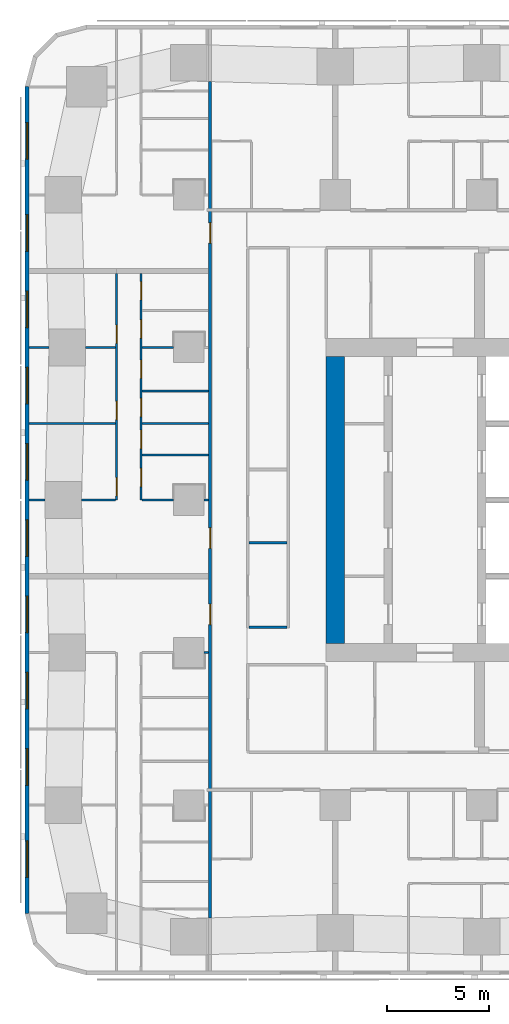
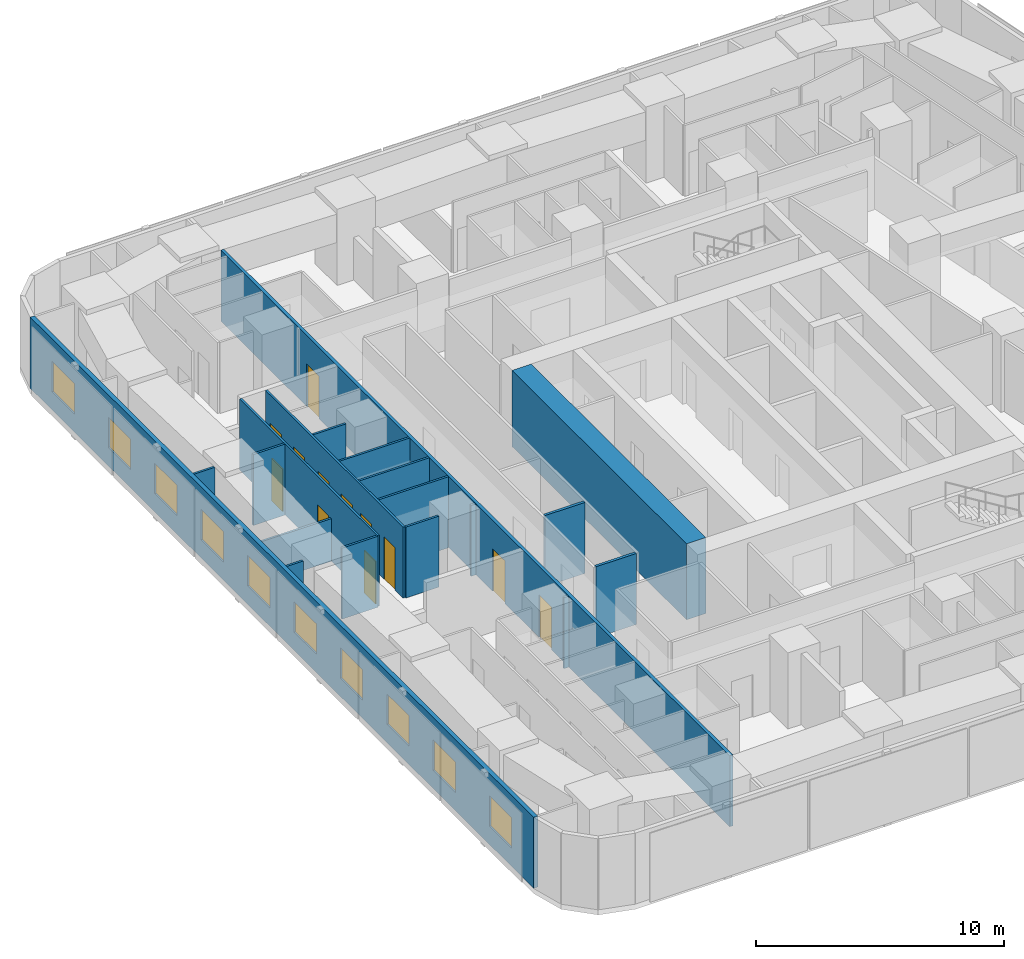
# One storey, part 4 of 15: 19 walls, 12 doors, 10 windows, 22 openings.
"""IFC4 building model written with IfcOpenShell, lengths in metres."""

from ifc_helpers import new_model, si_unit, direction, frame, frame_2d, origin, place, context, subcontext, project, spatial, rectangle, extrude, material, layer, layer_set, type_object, element, fill, save


model = new_model("IFC4")

# Units and contexts
model_context = context("Model", 3, precision=1e-05, world=origin(), true_north=direction((0.0, 1.0)))
body_context = subcontext(model_context, "Body", "Model", "MODEL_VIEW")
ifc_project = project(units=[si_unit("LENGTHUNIT", "METRE"), si_unit("AREAUNIT", "SQUARE_METRE"), si_unit("VOLUMEUNIT", "CUBIC_METRE"), si_unit("PLANEANGLEUNIT", "RADIAN"), si_unit("MASSUNIT", "GRAM", prefix="KILO")], contexts=[model_context])

# Site, building, storey
site_placement = place(None, origin())
site = spatial("IfcSite", under=ifc_project, at=site_placement, CompositionType="ELEMENT")
building_placement = place(site_placement, origin())
building = spatial("IfcBuilding", under=site, at=building_placement, Name="Sheger Commons Tower", CompositionType="ELEMENT")
storey_placement = place(building_placement, frame((0.0, 0.0, 150.800048828125)))
storey = spatial("IfcBuildingStorey", under=building, at=storey_placement, Name="L38", CompositionType="ELEMENT", Elevation=150.800048828125)

# Wall
ifc_material_1 = material(Name="Concrete C50/60", Category="concrete")
ifc_layer_1 = layer(ifc_material_1, 0.89990234375)
ifc_layer_set_1 = layer_set([ifc_layer_1], Name="CORE WALL 900")
wall_type_1 = type_object("IfcWallType", Name="CORE WALL 900", PredefinedType="SHEAR", material=ifc_layer_set_1)
wall_1_placement = place(storey_placement, frame((14.39990234375, 15.449951171875, 0.0), z_axis=(0.0, 0.0, 1.0), x_axis=(0.0, 1.0, 0.0)))
element("IfcWall", 1, at=wall_1_placement, inside=storey, type_object=wall_type_1, Name="Core wall west L38", PredefinedType="SHEAR", context=body_context, shape_type="SweptSolid", body=[
    extrude(rectangle(XDim=14.10009765625, YDim=0.89990234375, at=frame_2d((7.050048828125, 0.0))), origin(), (0.0, 0.0, 1.0), 3.75),
])

# Wall, openings, doors
ifc_material_2 = material(Name="Hollow concrete block masonry, skimmed both sides", Category="masonry")
ifc_layer_2 = layer(ifc_material_2, 0.14990234375)
ifc_layer_set_2 = layer_set([ifc_layer_2], Name="CORRIDOR WALL 150")
wall_type_2 = type_object("IfcWallType", Name="CORRIDOR WALL 150", PredefinedType="SOLIDWALL", material=ifc_layer_set_2)
wall_2_placement = place(storey_placement, frame((8.25, 1.95703125, 0.0), z_axis=(0.0, 0.0, 1.0), x_axis=(0.0, 1.0, 0.0)))
wall_2 = element("IfcWall", 2, at=wall_2_placement, inside=storey, type_object=wall_type_2, Name="Corridor wall L38", PredefinedType="SOLIDWALL", context=body_context, shape_type="SweptSolid", body=[
    extrude(rectangle(XDim=41.111083984375, YDim=0.14990234375, at=frame_2d((20.5556640625, 0.0))), origin(), (0.0, 0.0, 1.0), 3.5),
])
opening_1_placement = place(wall_2_placement, frame((14.41796875, 0.0, 0.0)))
opening_1 = element("IfcOpeningElement", 3, at=opening_1_placement, cuts=wall_2, Name="Opening D1", PredefinedType="OPENING", context=body_context, shape_type="SweptSolid", body=[
    extrude(rectangle(XDim=1.0, YDim=2.10009765625, at=frame_2d((0.5, 1.050048828125))), frame((0.0, 0.0849609375, 0.0), z_axis=(0.0, -1.0, 0.0), x_axis=(1.0, 0.0, 0.0)), (0.0, 0.0, 1.0), 0.169921875),
])
opening_2_placement = place(wall_2_placement, frame((18.16796875, 0.0, 0.0)))
opening_2 = element("IfcOpeningElement", 4, at=opening_2_placement, cuts=wall_2, Name="Opening D1", PredefinedType="OPENING", context=body_context, shape_type="SweptSolid", body=[
    extrude(rectangle(XDim=1.0, YDim=2.10009765625, at=frame_2d((0.5, 1.050048828125))), frame((0.0, 0.0849609375, 0.0), z_axis=(0.0, -1.0, 0.0), x_axis=(1.0, 0.0, 0.0)), (0.0, 0.0, 1.0), 0.169921875),
])
opening_3_placement = place(wall_2_placement, frame((33.16796875, 0.0, 0.0)))
opening_3 = element("IfcOpeningElement", 5, at=opening_3_placement, cuts=wall_2, Name="Opening D1", PredefinedType="OPENING", context=body_context, shape_type="SweptSolid", body=[
    extrude(rectangle(XDim=1.0, YDim=2.10009765625, at=frame_2d((0.5, 1.050048828125))), frame((0.0, 0.0849609375, 0.0), z_axis=(0.0, -1.0, 0.0), x_axis=(1.0, 0.0, 0.0)), (0.0, 0.0, 1.0), 0.169921875),
])
ifc_material_3 = material(Name="Steel door set, fire rated", Category="steel")
door_type_1 = type_object("IfcDoorType", Name="FLAT ENTRANCE DOOR 1000x2100", OperationType="NOTDEFINED", PredefinedType="DOOR", material=ifc_material_3)
door_1_placement = place(opening_1_placement, origin())
door_1 = element("IfcDoor", 6, at=door_1_placement, inside=storey, type_object=door_type_1, Name="Flat entrance door", OperationType="SINGLE_SWING_LEFT", OverallHeight=2.10009765625, OverallWidth=1.0, PredefinedType="DOOR", context=body_context, shape_type="SweptSolid", body=[
    extrude(rectangle(XDim=1.0, YDim=2.10009765625, at=frame_2d((0.5, 1.050048828125))), frame((0.0, 0.02490234375, 0.0), z_axis=(0.0, -1.0, 0.0), x_axis=(1.0, 0.0, 0.0)), (0.0, 0.0, 1.0), 0.050048828125),
])
fill(opening_1, door_1)
door_2_placement = place(opening_2_placement, origin())
door_2 = element("IfcDoor", 7, at=door_2_placement, inside=storey, type_object=door_type_1, Name="Flat entrance door", OperationType="SINGLE_SWING_RIGHT", OverallHeight=2.10009765625, OverallWidth=1.0, PredefinedType="DOOR", context=body_context, shape_type="SweptSolid", body=[
    extrude(rectangle(XDim=1.0, YDim=2.10009765625, at=frame_2d((0.5, 1.050048828125))), frame((0.0, 0.02490234375, 0.0), z_axis=(0.0, -1.0, 0.0), x_axis=(1.0, 0.0, 0.0)), (0.0, 0.0, 1.0), 0.050048828125),
])
fill(opening_2, door_2)
door_3_placement = place(opening_3_placement, origin())
door_3 = element("IfcDoor", 8, at=door_3_placement, inside=storey, type_object=door_type_1, Name="Flat entrance door", OperationType="SINGLE_SWING_LEFT", OverallHeight=2.10009765625, OverallWidth=1.0, PredefinedType="DOOR", context=body_context, shape_type="SweptSolid", body=[
    extrude(rectangle(XDim=1.0, YDim=2.10009765625, at=frame_2d((0.5, 1.050048828125))), frame((0.0, 0.02490234375, 0.0), z_axis=(0.0, -1.0, 0.0), x_axis=(1.0, 0.0, 0.0)), (0.0, 0.0, 1.0), 0.050048828125),
])
fill(opening_3, door_3)

# Wall, openings, windows
ifc_material_4 = material(Name="Rendered concrete block masonry, dark grey", Category="masonry")
ifc_layer_3 = layer(ifc_material_4, 0.199951171875)
ifc_layer_set_3 = layer_set([ifc_layer_3], Name="FACADE WALL 200")
wall_type_3 = type_object("IfcWallType", Name="FACADE WALL 200", PredefinedType="SOLIDWALL", material=ifc_layer_set_3)
wall_3_placement = place(storey_placement, frame((-0.75, 42.8369140625, 0.0), z_axis=(0.0, 0.0, 1.0), x_axis=(0.0, -1.0, 0.0)))
wall_3 = element("IfcWall", 9, at=wall_3_placement, inside=storey, type_object=wall_type_3, Name="Facade wall L38", PredefinedType="SOLIDWALL", context=body_context, shape_type="SweptSolid", body=[
    extrude(rectangle(XDim=40.673828125, YDim=0.199951171875, at=frame_2d((20.3369140625, 0.0))), origin(), (0.0, 0.0, 1.0), 3.5),
])
opening_4_placement = place(wall_3_placement, frame((1.780029296875, 0.0, 0.89990234375)))
opening_4 = element("IfcOpeningElement", 10, at=opening_4_placement, cuts=wall_3, Name="Opening W2", PredefinedType="OPENING", context=body_context, shape_type="SweptSolid", body=[
    extrude(rectangle(XDim=1.800048828125, YDim=1.5, at=frame_2d((0.89990234375, 0.75))), frame((0.0, 0.10986328125, 0.0), z_axis=(0.0, -1.0, 0.0), x_axis=(1.0, 0.0, 0.0)), (0.0, 0.0, 1.0), 0.219970703125),
])
opening_5_placement = place(wall_3_placement, frame((6.31201171875, 0.0, 0.89990234375)))
opening_5 = element("IfcOpeningElement", 11, at=opening_5_placement, cuts=wall_3, Name="Opening W2", PredefinedType="OPENING", context=body_context, shape_type="SweptSolid", body=[
    extrude(rectangle(XDim=1.800048828125, YDim=1.5, at=frame_2d((0.89990234375, 0.75))), frame((0.0, 0.10986328125, 0.0), z_axis=(0.0, -1.0, 0.0), x_axis=(1.0, 0.0, 0.0)), (0.0, 0.0, 1.0), 0.219970703125),
])
opening_6_placement = place(wall_3_placement, frame((10.06201171875, 0.0, 0.89990234375)))
opening_6 = element("IfcOpeningElement", 12, at=opening_6_placement, cuts=wall_3, Name="Opening W2", PredefinedType="OPENING", context=body_context, shape_type="SweptSolid", body=[
    extrude(rectangle(XDim=1.800048828125, YDim=1.5, at=frame_2d((0.89990234375, 0.75))), frame((0.0, 0.10986328125, 0.0), z_axis=(0.0, -1.0, 0.0), x_axis=(1.0, 0.0, 0.0)), (0.0, 0.0, 1.0), 0.219970703125),
])
opening_7_placement = place(wall_3_placement, frame((13.81201171875, 0.0, 0.89990234375)))
opening_7 = element("IfcOpeningElement", 13, at=opening_7_placement, cuts=wall_3, Name="Opening W2", PredefinedType="OPENING", context=body_context, shape_type="SweptSolid", body=[
    extrude(rectangle(XDim=1.800048828125, YDim=1.5, at=frame_2d((0.89990234375, 0.75))), frame((0.0, 0.10986328125, 0.0), z_axis=(0.0, -1.0, 0.0), x_axis=(1.0, 0.0, 0.0)), (0.0, 0.0, 1.0), 0.219970703125),
])
opening_8_placement = place(wall_3_placement, frame((17.56201171875, 0.0, 0.89990234375)))
opening_8 = element("IfcOpeningElement", 14, at=opening_8_placement, cuts=wall_3, Name="Opening W2", PredefinedType="OPENING", context=body_context, shape_type="SweptSolid", body=[
    extrude(rectangle(XDim=1.800048828125, YDim=1.5, at=frame_2d((0.89990234375, 0.75))), frame((0.0, 0.10986328125, 0.0), z_axis=(0.0, -1.0, 0.0), x_axis=(1.0, 0.0, 0.0)), (0.0, 0.0, 1.0), 0.219970703125),
])
opening_9_placement = place(wall_3_placement, frame((21.31201171875, 0.0, 0.89990234375)))
opening_9 = element("IfcOpeningElement", 15, at=opening_9_placement, cuts=wall_3, Name="Opening W2", PredefinedType="OPENING", context=body_context, shape_type="SweptSolid", body=[
    extrude(rectangle(XDim=1.800048828125, YDim=1.5, at=frame_2d((0.89990234375, 0.75))), frame((0.0, 0.10986328125, 0.0), z_axis=(0.0, -1.0, 0.0), x_axis=(1.0, 0.0, 0.0)), (0.0, 0.0, 1.0), 0.219970703125),
])
opening_10_placement = place(wall_3_placement, frame((25.06201171875, 0.0, 0.89990234375)))
opening_10 = element("IfcOpeningElement", 16, at=opening_10_placement, cuts=wall_3, Name="Opening W2", PredefinedType="OPENING", context=body_context, shape_type="SweptSolid", body=[
    extrude(rectangle(XDim=1.800048828125, YDim=1.5, at=frame_2d((0.89990234375, 0.75))), frame((0.0, 0.10986328125, 0.0), z_axis=(0.0, -1.0, 0.0), x_axis=(1.0, 0.0, 0.0)), (0.0, 0.0, 1.0), 0.219970703125),
])
opening_11_placement = place(wall_3_placement, frame((28.81201171875, 0.0, 0.89990234375)))
opening_11 = element("IfcOpeningElement", 17, at=opening_11_placement, cuts=wall_3, Name="Opening W2", PredefinedType="OPENING", context=body_context, shape_type="SweptSolid", body=[
    extrude(rectangle(XDim=1.800048828125, YDim=1.5, at=frame_2d((0.89990234375, 0.75))), frame((0.0, 0.10986328125, 0.0), z_axis=(0.0, -1.0, 0.0), x_axis=(1.0, 0.0, 0.0)), (0.0, 0.0, 1.0), 0.219970703125),
])
opening_12_placement = place(wall_3_placement, frame((32.56201171875, 0.0, 0.89990234375)))
opening_12 = element("IfcOpeningElement", 18, at=opening_12_placement, cuts=wall_3, Name="Opening W2", PredefinedType="OPENING", context=body_context, shape_type="SweptSolid", body=[
    extrude(rectangle(XDim=1.800048828125, YDim=1.5, at=frame_2d((0.89990234375, 0.75))), frame((0.0, 0.10986328125, 0.0), z_axis=(0.0, -1.0, 0.0), x_axis=(1.0, 0.0, 0.0)), (0.0, 0.0, 1.0), 0.219970703125),
])
opening_13_placement = place(wall_3_placement, frame((37.093994140625, 0.0, 0.89990234375)))
opening_13 = element("IfcOpeningElement", 19, at=opening_13_placement, cuts=wall_3, Name="Opening W2", PredefinedType="OPENING", context=body_context, shape_type="SweptSolid", body=[
    extrude(rectangle(XDim=1.800048828125, YDim=1.5, at=frame_2d((0.89990234375, 0.75))), frame((0.0, 0.10986328125, 0.0), z_axis=(0.0, -1.0, 0.0), x_axis=(1.0, 0.0, 0.0)), (0.0, 0.0, 1.0), 0.219970703125),
])
ifc_material_5 = material(Name="Black aluminium frame, dark tinted double glazing", Category="aluminium")
window_type = type_object("IfcWindowType", Name="WINDOW W2 1800x1500", PartitioningType="SINGLE_PANEL", PredefinedType="WINDOW", material=ifc_material_5)
window_1_placement = place(opening_4_placement, origin())
window_1 = element("IfcWindow", 20, at=window_1_placement, inside=storey, type_object=window_type, Name="Window W2 1800X1500", OverallHeight=1.5, OverallWidth=1.800048828125, PartitioningType="SINGLE_PANEL", PredefinedType="WINDOW", context=body_context, shape_type="SweptSolid", body=[
    extrude(rectangle(XDim=1.800048828125, YDim=1.5, at=frame_2d((0.89990234375, 0.75))), frame((0.0, 0.030029296875, 0.0), z_axis=(0.0, -1.0, 0.0), x_axis=(1.0, 0.0, 0.0)), (0.0, 0.0, 1.0), 0.06005859375),
])
fill(opening_4, window_1)
window_2_placement = place(opening_5_placement, origin())
window_2 = element("IfcWindow", 21, at=window_2_placement, inside=storey, type_object=window_type, Name="Window W2 1800X1500", OverallHeight=1.5, OverallWidth=1.800048828125, PartitioningType="SINGLE_PANEL", PredefinedType="WINDOW", context=body_context, shape_type="SweptSolid", body=[
    extrude(rectangle(XDim=1.800048828125, YDim=1.5, at=frame_2d((0.89990234375, 0.75))), frame((0.0, 0.030029296875, 0.0), z_axis=(0.0, -1.0, 0.0), x_axis=(1.0, 0.0, 0.0)), (0.0, 0.0, 1.0), 0.06005859375),
])
fill(opening_5, window_2)
window_3_placement = place(opening_6_placement, origin())
window_3 = element("IfcWindow", 22, at=window_3_placement, inside=storey, type_object=window_type, Name="Window W2 1800X1500", OverallHeight=1.5, OverallWidth=1.800048828125, PartitioningType="SINGLE_PANEL", PredefinedType="WINDOW", context=body_context, shape_type="SweptSolid", body=[
    extrude(rectangle(XDim=1.800048828125, YDim=1.5, at=frame_2d((0.89990234375, 0.75))), frame((0.0, 0.030029296875, 0.0), z_axis=(0.0, -1.0, 0.0), x_axis=(1.0, 0.0, 0.0)), (0.0, 0.0, 1.0), 0.06005859375),
])
fill(opening_6, window_3)
window_4_placement = place(opening_7_placement, origin())
window_4 = element("IfcWindow", 23, at=window_4_placement, inside=storey, type_object=window_type, Name="Window W2 1800X1500", OverallHeight=1.5, OverallWidth=1.800048828125, PartitioningType="SINGLE_PANEL", PredefinedType="WINDOW", context=body_context, shape_type="SweptSolid", body=[
    extrude(rectangle(XDim=1.800048828125, YDim=1.5, at=frame_2d((0.89990234375, 0.75))), frame((0.0, 0.030029296875, 0.0), z_axis=(0.0, -1.0, 0.0), x_axis=(1.0, 0.0, 0.0)), (0.0, 0.0, 1.0), 0.06005859375),
])
fill(opening_7, window_4)
window_5_placement = place(opening_8_placement, origin())
window_5 = element("IfcWindow", 24, at=window_5_placement, inside=storey, type_object=window_type, Name="Window W2 1800X1500", OverallHeight=1.5, OverallWidth=1.800048828125, PartitioningType="SINGLE_PANEL", PredefinedType="WINDOW", context=body_context, shape_type="SweptSolid", body=[
    extrude(rectangle(XDim=1.800048828125, YDim=1.5, at=frame_2d((0.89990234375, 0.75))), frame((0.0, 0.030029296875, 0.0), z_axis=(0.0, -1.0, 0.0), x_axis=(1.0, 0.0, 0.0)), (0.0, 0.0, 1.0), 0.06005859375),
])
fill(opening_8, window_5)
window_6_placement = place(opening_9_placement, origin())
window_6 = element("IfcWindow", 25, at=window_6_placement, inside=storey, type_object=window_type, Name="Window W2 1800X1500", OverallHeight=1.5, OverallWidth=1.800048828125, PartitioningType="SINGLE_PANEL", PredefinedType="WINDOW", context=body_context, shape_type="SweptSolid", body=[
    extrude(rectangle(XDim=1.800048828125, YDim=1.5, at=frame_2d((0.89990234375, 0.75))), frame((0.0, 0.030029296875, 0.0), z_axis=(0.0, -1.0, 0.0), x_axis=(1.0, 0.0, 0.0)), (0.0, 0.0, 1.0), 0.06005859375),
])
fill(opening_9, window_6)
window_7_placement = place(opening_10_placement, origin())
window_7 = element("IfcWindow", 26, at=window_7_placement, inside=storey, type_object=window_type, Name="Window W2 1800X1500", OverallHeight=1.5, OverallWidth=1.800048828125, PartitioningType="SINGLE_PANEL", PredefinedType="WINDOW", context=body_context, shape_type="SweptSolid", body=[
    extrude(rectangle(XDim=1.800048828125, YDim=1.5, at=frame_2d((0.89990234375, 0.75))), frame((0.0, 0.030029296875, 0.0), z_axis=(0.0, -1.0, 0.0), x_axis=(1.0, 0.0, 0.0)), (0.0, 0.0, 1.0), 0.06005859375),
])
fill(opening_10, window_7)
window_8_placement = place(opening_11_placement, origin())
window_8 = element("IfcWindow", 27, at=window_8_placement, inside=storey, type_object=window_type, Name="Window W2 1800X1500", OverallHeight=1.5, OverallWidth=1.800048828125, PartitioningType="SINGLE_PANEL", PredefinedType="WINDOW", context=body_context, shape_type="SweptSolid", body=[
    extrude(rectangle(XDim=1.800048828125, YDim=1.5, at=frame_2d((0.89990234375, 0.75))), frame((0.0, 0.030029296875, 0.0), z_axis=(0.0, -1.0, 0.0), x_axis=(1.0, 0.0, 0.0)), (0.0, 0.0, 1.0), 0.06005859375),
])
fill(opening_11, window_8)
window_9_placement = place(opening_12_placement, origin())
window_9 = element("IfcWindow", 28, at=window_9_placement, inside=storey, type_object=window_type, Name="Window W2 1800X1500", OverallHeight=1.5, OverallWidth=1.800048828125, PartitioningType="SINGLE_PANEL", PredefinedType="WINDOW", context=body_context, shape_type="SweptSolid", body=[
    extrude(rectangle(XDim=1.800048828125, YDim=1.5, at=frame_2d((0.89990234375, 0.75))), frame((0.0, 0.030029296875, 0.0), z_axis=(0.0, -1.0, 0.0), x_axis=(1.0, 0.0, 0.0)), (0.0, 0.0, 1.0), 0.06005859375),
])
fill(opening_12, window_9)
window_10_placement = place(opening_13_placement, origin())
window_10 = element("IfcWindow", 29, at=window_10_placement, inside=storey, type_object=window_type, Name="Window W2 1800X1500", OverallHeight=1.5, OverallWidth=1.800048828125, PartitioningType="SINGLE_PANEL", PredefinedType="WINDOW", context=body_context, shape_type="SweptSolid", body=[
    extrude(rectangle(XDim=1.800048828125, YDim=1.5, at=frame_2d((0.89990234375, 0.75))), frame((0.0, 0.030029296875, 0.0), z_axis=(0.0, -1.0, 0.0), x_axis=(1.0, 0.0, 0.0)), (0.0, 0.0, 1.0), 0.06005859375),
])
fill(opening_13, window_10)

# Wall
ifc_material_6 = material(Name="Gypsum board on steel studs", Category="steel")
ifc_layer_4 = layer(ifc_material_6, 0.10009765625)
ifc_layer_set_4 = layer_set([ifc_layer_4], Name="PARTITION 100")
wall_type_4 = type_object("IfcWallType", Name="PARTITION 100", PredefinedType="PARTITIONING", material=ifc_layer_set_4)
wall_4_placement = place(storey_placement, frame((7.950927734375, 15.0, 0.0), z_axis=(0.0, 0.0, 1.0), x_axis=(1.0, 0.0, 0.0)))
element("IfcWall", 30, at=wall_4_placement, inside=storey, type_object=wall_type_4, Name="Partition L38", PredefinedType="PARTITIONING", context=body_context, shape_type="SweptSolid", body=[
    extrude(rectangle(XDim=0.22412109375, YDim=0.10009765625, at=frame_2d((0.112060546875, 0.0))), origin(), (0.0, 0.0, 1.0), 3.5),
])

# Wall, openings, doors
wall_5_placement = place(storey_placement, frame((3.64990234375, 22.5, 0.0), z_axis=(0.0, 0.0, 1.0), x_axis=(0.0, 1.0, 0.0)))
wall_5 = element("IfcWall", 31, at=wall_5_placement, inside=storey, type_object=wall_type_4, Name="Partition L38", PredefinedType="PARTITIONING", context=body_context, shape_type="SweptSolid", body=[
    extrude(rectangle(XDim=11.125, YDim=0.10009765625, at=frame_2d((5.5625, 0.0))), origin(), (0.0, 0.0, 1.0), 3.5),
])
opening_14_placement = place(wall_5_placement, frame((0.199951171875, 0.0, 0.0)))
opening_14 = element("IfcOpeningElement", 32, at=opening_14_placement, cuts=wall_5, Name="Opening D2", PredefinedType="OPENING", context=body_context, shape_type="SweptSolid", body=[
    extrude(rectangle(XDim=0.89990234375, YDim=2.10009765625, at=frame_2d((0.449951171875, 1.050048828125))), frame((0.0, 0.06005859375, 0.0), z_axis=(0.0, -1.0, 0.0), x_axis=(1.0, 0.0, 0.0)), (0.0, 0.0, 1.0), 0.1201171875),
])
opening_15_placement = place(wall_5_placement, frame((3.949951171875, 0.0, 0.0)))
opening_15 = element("IfcOpeningElement", 33, at=opening_15_placement, cuts=wall_5, Name="Opening D2", PredefinedType="OPENING", context=body_context, shape_type="SweptSolid", body=[
    extrude(rectangle(XDim=0.89990234375, YDim=2.10009765625, at=frame_2d((0.449951171875, 1.050048828125))), frame((0.0, 0.06005859375, 0.0), z_axis=(0.0, -1.0, 0.0), x_axis=(1.0, 0.0, 0.0)), (0.0, 0.0, 1.0), 0.1201171875),
])
opening_16_placement = place(wall_5_placement, frame((7.699951171875, 0.0, 0.0)))
opening_16 = element("IfcOpeningElement", 34, at=opening_16_placement, cuts=wall_5, Name="Opening D2", PredefinedType="OPENING", context=body_context, shape_type="SweptSolid", body=[
    extrude(rectangle(XDim=0.89990234375, YDim=2.10009765625, at=frame_2d((0.449951171875, 1.050048828125))), frame((0.0, 0.06005859375, 0.0), z_axis=(0.0, -1.0, 0.0), x_axis=(1.0, 0.0, 0.0)), (0.0, 0.0, 1.0), 0.1201171875),
])
ifc_material_7 = material(Name="Timber door set", Category="wood")
door_type_2 = type_object("IfcDoorType", Name="INTERNAL DOOR 900x2100", OperationType="NOTDEFINED", PredefinedType="DOOR", material=ifc_material_7)
door_4_placement = place(opening_14_placement, origin())
door_4 = element("IfcDoor", 35, at=door_4_placement, inside=storey, type_object=door_type_2, Name="Main bedroom door", OperationType="SINGLE_SWING_LEFT", OverallHeight=2.10009765625, OverallWidth=0.89990234375, PredefinedType="DOOR", context=body_context, shape_type="SweptSolid", body=[
    extrude(rectangle(XDim=0.89990234375, YDim=2.10009765625, at=frame_2d((0.449951171875, 1.050048828125))), frame((0.0, 0.02490234375, 0.0), z_axis=(0.0, -1.0, 0.0), x_axis=(1.0, 0.0, 0.0)), (0.0, 0.0, 1.0), 0.050048828125),
])
fill(opening_14, door_4)
door_5_placement = place(opening_15_placement, origin())
door_5 = element("IfcDoor", 36, at=door_5_placement, inside=storey, type_object=door_type_2, Name="Bedroom 2 door", OperationType="SINGLE_SWING_LEFT", OverallHeight=2.10009765625, OverallWidth=0.89990234375, PredefinedType="DOOR", context=body_context, shape_type="SweptSolid", body=[
    extrude(rectangle(XDim=0.89990234375, YDim=2.10009765625, at=frame_2d((0.449951171875, 1.050048828125))), frame((0.0, 0.02490234375, 0.0), z_axis=(0.0, -1.0, 0.0), x_axis=(1.0, 0.0, 0.0)), (0.0, 0.0, 1.0), 0.050048828125),
])
fill(opening_15, door_5)
door_6_placement = place(opening_16_placement, origin())
door_6 = element("IfcDoor", 37, at=door_6_placement, inside=storey, type_object=door_type_2, Name="Bedroom 3 door", OperationType="SINGLE_SWING_LEFT", OverallHeight=2.10009765625, OverallWidth=0.89990234375, PredefinedType="DOOR", context=body_context, shape_type="SweptSolid", body=[
    extrude(rectangle(XDim=0.89990234375, YDim=2.10009765625, at=frame_2d((0.449951171875, 1.050048828125))), frame((0.0, 0.02490234375, 0.0), z_axis=(0.0, -1.0, 0.0), x_axis=(1.0, 0.0, 0.0)), (0.0, 0.0, 1.0), 0.050048828125),
])
fill(opening_16, door_6)

wall_6_placement = place(storey_placement, frame((4.85009765625, 22.5, 0.0), z_axis=(0.0, 0.0, 1.0), x_axis=(0.0, 1.0, 0.0)))
wall_6 = element("IfcWall", 38, at=wall_6_placement, inside=storey, type_object=wall_type_4, Name="Partition L38", PredefinedType="PARTITIONING", context=body_context, shape_type="SweptSolid", body=[
    extrude(rectangle(XDim=11.125, YDim=0.10009765625, at=frame_2d((5.5625, 0.0))), origin(), (0.0, 0.0, 1.0), 3.5),
])
opening_17_placement = place(wall_6_placement, frame((0.655029296875, 0.0, 0.0)))
opening_17 = element("IfcOpeningElement", 39, at=opening_17_placement, cuts=wall_6, Name="Opening D2", PredefinedType="OPENING", context=body_context, shape_type="SweptSolid", body=[
    extrude(rectangle(XDim=0.89990234375, YDim=2.10009765625, at=frame_2d((0.449951171875, 1.050048828125))), frame((0.0, 0.06005859375, 0.0), z_axis=(0.0, -1.0, 0.0), x_axis=(1.0, 0.0, 0.0)), (0.0, 0.0, 1.0), 0.1201171875),
])
opening_18_placement = place(wall_6_placement, frame((4.10009765625, 0.0, 0.0)))
opening_18 = element("IfcOpeningElement", 40, at=opening_18_placement, cuts=wall_6, Name="Opening D2", PredefinedType="OPENING", context=body_context, shape_type="SweptSolid", body=[
    extrude(rectangle(XDim=0.89990234375, YDim=2.10009765625, at=frame_2d((0.449951171875, 1.050048828125))), frame((0.0, 0.06005859375, 0.0), z_axis=(0.0, -1.0, 0.0), x_axis=(1.0, 0.0, 0.0)), (0.0, 0.0, 1.0), 0.1201171875),
])
opening_19_placement = place(wall_6_placement, frame((7.9599609375, 0.0, 0.0)))
opening_19 = element("IfcOpeningElement", 41, at=opening_19_placement, cuts=wall_6, Name="Opening D2", PredefinedType="OPENING", context=body_context, shape_type="SweptSolid", body=[
    extrude(rectangle(XDim=0.89990234375, YDim=2.10009765625, at=frame_2d((0.449951171875, 1.050048828125))), frame((0.0, 0.06005859375, 0.0), z_axis=(0.0, -1.0, 0.0), x_axis=(1.0, 0.0, 0.0)), (0.0, 0.0, 1.0), 0.1201171875),
])
opening_20_placement = place(wall_6_placement, frame((2.530029296875, 0.0, 0.0)))
opening_20 = element("IfcOpeningElement", 42, at=opening_20_placement, cuts=wall_6, Name="Opening D2", PredefinedType="OPENING", context=body_context, shape_type="SweptSolid", body=[
    extrude(rectangle(XDim=0.89990234375, YDim=2.10009765625, at=frame_2d((0.449951171875, 1.050048828125))), frame((0.0, 0.06005859375, 0.0), z_axis=(0.0, -1.0, 0.0), x_axis=(1.0, 0.0, 0.0)), (0.0, 0.0, 1.0), 0.1201171875),
])
opening_21_placement = place(wall_6_placement, frame((5.97509765625, 0.0, 0.0)))
opening_21 = element("IfcOpeningElement", 43, at=opening_21_placement, cuts=wall_6, Name="Opening D2", PredefinedType="OPENING", context=body_context, shape_type="SweptSolid", body=[
    extrude(rectangle(XDim=0.89990234375, YDim=2.10009765625, at=frame_2d((0.449951171875, 1.050048828125))), frame((0.0, 0.06005859375, 0.0), z_axis=(0.0, -1.0, 0.0), x_axis=(1.0, 0.0, 0.0)), (0.0, 0.0, 1.0), 0.1201171875),
])
opening_22_placement = place(wall_6_placement, frame((9.8349609375, 0.0, 0.0)))
opening_22 = element("IfcOpeningElement", 44, at=opening_22_placement, cuts=wall_6, Name="Opening D2", PredefinedType="OPENING", context=body_context, shape_type="SweptSolid", body=[
    extrude(rectangle(XDim=0.89990234375, YDim=2.10009765625, at=frame_2d((0.449951171875, 1.050048828125))), frame((0.0, 0.06005859375, 0.0), z_axis=(0.0, -1.0, 0.0), x_axis=(1.0, 0.0, 0.0)), (0.0, 0.0, 1.0), 0.1201171875),
])
door_7_placement = place(opening_17_placement, origin())
door_7 = element("IfcDoor", 45, at=door_7_placement, inside=storey, type_object=door_type_2, Name="Bathroom door", OperationType="SINGLE_SWING_RIGHT", OverallHeight=2.10009765625, OverallWidth=0.89990234375, PredefinedType="DOOR", context=body_context, shape_type="SweptSolid", body=[
    extrude(rectangle(XDim=0.89990234375, YDim=2.10009765625, at=frame_2d((0.449951171875, 1.050048828125))), frame((0.0, 0.02490234375, 0.0), z_axis=(0.0, -1.0, 0.0), x_axis=(1.0, 0.0, 0.0)), (0.0, 0.0, 1.0), 0.050048828125),
])
fill(opening_17, door_7)
door_8_placement = place(opening_18_placement, origin())
door_8 = element("IfcDoor", 46, at=door_8_placement, inside=storey, type_object=door_type_2, Name="Shower room door", OperationType="SINGLE_SWING_LEFT", OverallHeight=2.10009765625, OverallWidth=0.89990234375, PredefinedType="DOOR", context=body_context, shape_type="SweptSolid", body=[
    extrude(rectangle(XDim=0.89990234375, YDim=2.10009765625, at=frame_2d((0.449951171875, 1.050048828125))), frame((0.0, 0.02490234375, 0.0), z_axis=(0.0, -1.0, 0.0), x_axis=(1.0, 0.0, 0.0)), (0.0, 0.0, 1.0), 0.050048828125),
])
fill(opening_18, door_8)
door_9_placement = place(opening_19_placement, origin())
door_9 = element("IfcDoor", 47, at=door_9_placement, inside=storey, type_object=door_type_2, Name="Laundry room door", OperationType="SINGLE_SWING_LEFT", OverallHeight=2.10009765625, OverallWidth=0.89990234375, PredefinedType="DOOR", context=body_context, shape_type="SweptSolid", body=[
    extrude(rectangle(XDim=0.89990234375, YDim=2.10009765625, at=frame_2d((0.449951171875, 1.050048828125))), frame((0.0, 0.02490234375, 0.0), z_axis=(0.0, -1.0, 0.0), x_axis=(1.0, 0.0, 0.0)), (0.0, 0.0, 1.0), 0.050048828125),
])
fill(opening_19, door_9)
door_10_placement = place(opening_20_placement, origin())
door_10 = element("IfcDoor", 48, at=door_10_placement, inside=storey, type_object=door_type_2, Name="Store door", OperationType="SINGLE_SWING_RIGHT", OverallHeight=2.10009765625, OverallWidth=0.89990234375, PredefinedType="DOOR", context=body_context, shape_type="SweptSolid", body=[
    extrude(rectangle(XDim=0.89990234375, YDim=2.10009765625, at=frame_2d((0.449951171875, 1.050048828125))), frame((0.0, 0.02490234375, 0.0), z_axis=(0.0, -1.0, 0.0), x_axis=(1.0, 0.0, 0.0)), (0.0, 0.0, 1.0), 0.050048828125),
])
fill(opening_20, door_10)
door_11_placement = place(opening_21_placement, origin())
door_11 = element("IfcDoor", 49, at=door_11_placement, inside=storey, type_object=door_type_2, Name="Store door", OperationType="SINGLE_SWING_RIGHT", OverallHeight=2.10009765625, OverallWidth=0.89990234375, PredefinedType="DOOR", context=body_context, shape_type="SweptSolid", body=[
    extrude(rectangle(XDim=0.89990234375, YDim=2.10009765625, at=frame_2d((0.449951171875, 1.050048828125))), frame((0.0, 0.02490234375, 0.0), z_axis=(0.0, -1.0, 0.0), x_axis=(1.0, 0.0, 0.0)), (0.0, 0.0, 1.0), 0.050048828125),
])
fill(opening_21, door_11)
door_12_placement = place(opening_22_placement, origin())
door_12 = element("IfcDoor", 50, at=door_12_placement, inside=storey, type_object=door_type_2, Name="Store door", OperationType="SINGLE_SWING_LEFT", OverallHeight=2.10009765625, OverallWidth=0.89990234375, PredefinedType="DOOR", context=body_context, shape_type="SweptSolid", body=[
    extrude(rectangle(XDim=0.89990234375, YDim=2.10009765625, at=frame_2d((0.449951171875, 1.050048828125))), frame((0.0, 0.02490234375, 0.0), z_axis=(0.0, -1.0, 0.0), x_axis=(1.0, 0.0, 0.0)), (0.0, 0.0, 1.0), 0.050048828125),
])
fill(opening_22, door_12)

# Walls
wall_7_placement = place(storey_placement, frame((-0.64990234375, 22.5, 0.0), z_axis=(0.0, 0.0, 1.0), x_axis=(1.0, 0.0, 0.0)))
element("IfcWall", 51, at=wall_7_placement, inside=storey, type_object=wall_type_4, Name="Partition L38", PredefinedType="PARTITIONING", context=body_context, shape_type="SweptSolid", body=[
    extrude(rectangle(XDim=0.77392578125, YDim=0.10009765625, at=frame_2d((0.386962890625, 0.0))), origin(), (0.0, 0.0, 1.0), 3.5),
])
wall_8_placement = place(storey_placement, frame((1.926025390625, 22.5, 0.0), z_axis=(0.0, 0.0, 1.0), x_axis=(1.0, 0.0, 0.0)))
element("IfcWall", 52, at=wall_8_placement, inside=storey, type_object=wall_type_4, Name="Partition L38", PredefinedType="PARTITIONING", context=body_context, shape_type="SweptSolid", body=[
    extrude(rectangle(XDim=1.674072265625, YDim=0.10009765625, at=frame_2d((0.8369140625, 0.0))), origin(), (0.0, 0.0, 1.0), 3.5),
])
wall_9_placement = place(storey_placement, frame((-0.64990234375, 26.25, 0.0), z_axis=(0.0, 0.0, 1.0), x_axis=(1.0, 0.0, 0.0)))
element("IfcWall", 53, at=wall_9_placement, inside=storey, type_object=wall_type_4, Name="Partition L38", PredefinedType="PARTITIONING", context=body_context, shape_type="SweptSolid", body=[
    extrude(rectangle(XDim=4.25, YDim=0.10009765625, at=frame_2d((2.125, 0.0))), origin(), (0.0, 0.0, 1.0), 2.099853515625),
])
wall_10_placement = place(storey_placement, frame((-0.64990234375, 30.0, 0.0), z_axis=(0.0, 0.0, 1.0), x_axis=(1.0, 0.0, 0.0)))
element("IfcWall", 54, at=wall_10_placement, inside=storey, type_object=wall_type_4, Name="Partition L38", PredefinedType="PARTITIONING", context=body_context, shape_type="SweptSolid", body=[
    extrude(rectangle(XDim=0.973876953125, YDim=0.10009765625, at=frame_2d((0.48681640625, 0.0))), origin(), (0.0, 0.0, 1.0), 3.5),
])
wall_11_placement = place(storey_placement, frame((2.1259765625, 30.0, 0.0), z_axis=(0.0, 0.0, 1.0), x_axis=(1.0, 0.0, 0.0)))
element("IfcWall", 55, at=wall_11_placement, inside=storey, type_object=wall_type_4, Name="Partition L38", PredefinedType="PARTITIONING", context=body_context, shape_type="SweptSolid", body=[
    extrude(rectangle(XDim=1.47412109375, YDim=0.10009765625, at=frame_2d((0.737060546875, 0.0))), origin(), (0.0, 0.0, 1.0), 3.5),
])
wall_12_placement = place(storey_placement, frame((4.89990234375, 22.5, 0.0), z_axis=(0.0, 0.0, 1.0), x_axis=(1.0, 0.0, 0.0)))
element("IfcWall", 56, at=wall_12_placement, inside=storey, type_object=wall_type_4, Name="Partition L38", PredefinedType="PARTITIONING", context=body_context, shape_type="SweptSolid", body=[
    extrude(rectangle(XDim=1.549072265625, YDim=0.10009765625, at=frame_2d((0.7744140625, 0.0))), origin(), (0.0, 0.0, 1.0), 3.5),
])
wall_13_placement = place(storey_placement, frame((7.950927734375, 22.5, 0.0), z_axis=(0.0, 0.0, 1.0), x_axis=(1.0, 0.0, 0.0)))
element("IfcWall", 57, at=wall_13_placement, inside=storey, type_object=wall_type_4, Name="Partition L38", PredefinedType="PARTITIONING", context=body_context, shape_type="SweptSolid", body=[
    extrude(rectangle(XDim=0.22412109375, YDim=0.10009765625, at=frame_2d((0.112060546875, 0.0))), origin(), (0.0, 0.0, 1.0), 3.5),
])
wall_14_placement = place(storey_placement, frame((4.89990234375, 26.25, 0.0), z_axis=(0.0, 0.0, 1.0), x_axis=(1.0, 0.0, 0.0)))
element("IfcWall", 58, at=wall_14_placement, inside=storey, type_object=wall_type_4, Name="Partition L38", PredefinedType="PARTITIONING", context=body_context, shape_type="SweptSolid", body=[
    extrude(rectangle(XDim=3.275146484375, YDim=0.10009765625, at=frame_2d((1.6376953125, 0.0))), origin(), (0.0, 0.0, 1.0), 3.5),
])
wall_15_placement = place(storey_placement, frame((4.89990234375, 30.0, 0.0), z_axis=(0.0, 0.0, 1.0), x_axis=(1.0, 0.0, 0.0)))
element("IfcWall", 59, at=wall_15_placement, inside=storey, type_object=wall_type_4, Name="Partition L38", PredefinedType="PARTITIONING", context=body_context, shape_type="SweptSolid", body=[
    extrude(rectangle(XDim=1.549072265625, YDim=0.10009765625, at=frame_2d((0.7744140625, 0.0))), origin(), (0.0, 0.0, 1.0), 3.5),
])
for number, where, z_axis, x_axis, name in (
    (60, (4.89990234375, 24.7099609375, 0.0), (0.0, 0.0, 1.0), (1.0, 0.0, 0.0), "Partition L38"),
    (61, (4.89990234375, 27.85009765625, 0.0), (0.0, 0.0, 1.0), (1.0, 0.0, 0.0), "Partition L38"),
):
    element("IfcWall", number, at=place(storey_placement, frame(where, z_axis=z_axis, x_axis=x_axis)), inside=storey, type_object=wall_type_4, Name=name, PredefinedType="PARTITIONING", context=body_context, shape_type="SweptSolid", body=[
        extrude(rectangle(XDim=3.275146484375, YDim=0.10009765625, at=frame_2d((1.6376953125, 0.0))), origin(), (0.0, 0.0, 1.0), 3.5),
    ])
ifc_material_8 = material(Name="Gypsum board on steel studs, two layers each side, fire rated", Category="steel")
ifc_layer_5 = layer(ifc_material_8, 0.125)
ifc_layer_set_5 = layer_set([ifc_layer_5], Name="SERVICE WALL 125")
wall_type_5 = type_object("IfcWallType", Name="SERVICE WALL 125", PredefinedType="PARTITIONING", material=ifc_layer_set_5)
for number, where, z_axis, x_axis, name in (
    (62, (10.162109375, 20.39990234375, 0.0), (0.0, 0.0, 1.0), (1.0, 0.0, 0.0), "Service room wall L38"),
    (63, (10.162109375, 16.25, 0.0), (0.0, 0.0, 1.0), (1.0, 0.0, 0.0), "Service room wall L38"),
):
    element("IfcWall", number, at=place(storey_placement, frame(where, z_axis=z_axis, x_axis=x_axis)), inside=storey, type_object=wall_type_5, Name=name, PredefinedType="PARTITIONING", context=body_context, shape_type="SweptSolid", body=[
        extrude(rectangle(XDim=1.875, YDim=0.125, at=frame_2d((0.9375, 0.0))), origin(), (0.0, 0.0, 1.0), 3.5),
    ])

save(model, "model.ifc")
